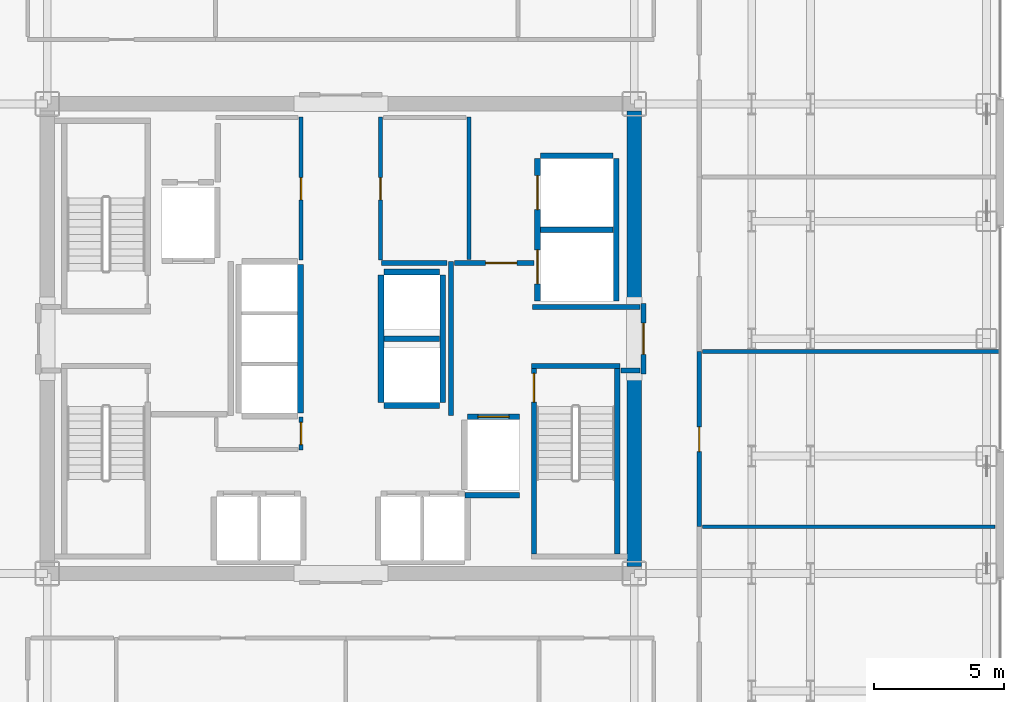
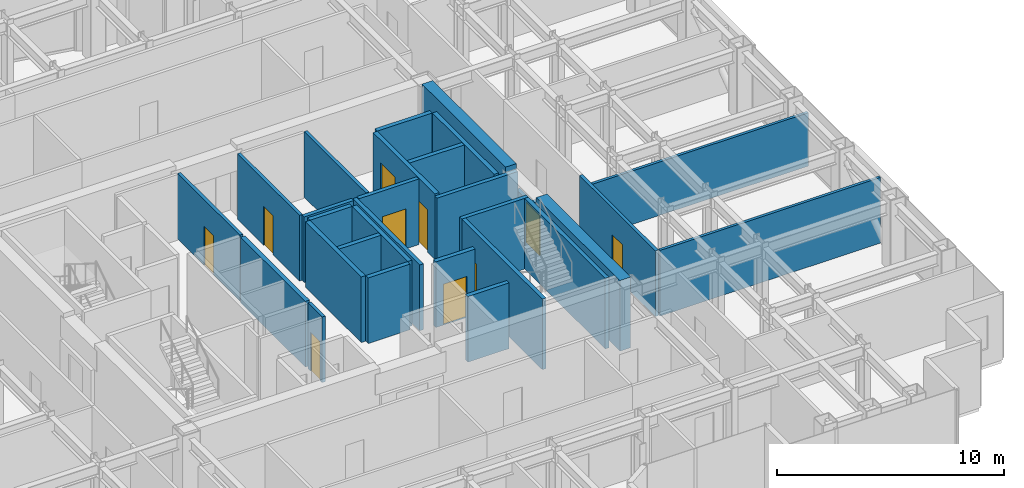
# One storey, part 23 of 26: 30 walls, 10 doors, 10 openings.
"""IFC4 building model written with IfcOpenShell, lengths in metres."""

from ifc_helpers import new_model, si_unit, direction, frame, frame_2d, origin, place, context, subcontext, project, spatial, rectangle, extrude, source, transform, mapped, material, layer, layer_set, type_object, element, fill, save


model = new_model("IFC4")

# Units and contexts
model_context = context("Model", 3, precision=1e-05, world=origin(), true_north=direction((0.0, 1.0)))
body_context = subcontext(model_context, "Body", "Model", "MODEL_VIEW")
ifc_project = project(units=[si_unit("LENGTHUNIT", "METRE"), si_unit("AREAUNIT", "SQUARE_METRE"), si_unit("VOLUMEUNIT", "CUBIC_METRE"), si_unit("PLANEANGLEUNIT", "RADIAN"), si_unit("MASSUNIT", "GRAM", prefix="KILO")], contexts=[model_context])

# Site, building, storey
site_placement = place(None, origin())
site = spatial("IfcSite", under=ifc_project, at=site_placement, CompositionType="ELEMENT")
building_placement = place(site_placement, origin())
building = spatial("IfcBuilding", under=site, at=building_placement, Name="Nefas-Gora Pilgrimage Tower", CompositionType="ELEMENT")
storey_placement = place(building_placement, frame((0.0, 0.0, 160.199951171875)))
storey = spatial("IfcBuildingStorey", under=building, at=storey_placement, Name="L39", CompositionType="ELEMENT", Elevation=160.199951171875)

# Walls
ifc_material_1 = material(Name="Concrete C60/75", Category="concrete")
ifc_layer_1 = layer(ifc_material_1, 0.550048828125)
ifc_layer_set_1 = layer_set([ifc_layer_1], Name="Concrete C60/75")
wall_type_1 = type_object("IfcWallType", Name="SW-CORE-550", PredefinedType="SHEAR", material=ifc_layer_set_1)
shared_shape_1 = source(origin(), body_context, "Body", "SweptSolid", [
    extrude(rectangle(XDim=7.375, YDim=0.550048828125, at=frame_2d((3.6875, 0.0))), origin(), (0.0, 0.0, 1.0), 3.800048828125),
])
for number, where, z_axis, x_axis, name in (
    (1, (11.25, -8.72509765625, 0.0), (0.0, 0.0, 1.0), (0.0, 1.0, 0.0), "L39 Core Shear Wall E-South"),
    (2, (11.25, 1.35009765625, 0.0), (0.0, 0.0, 1.0), (0.0, 1.0, 0.0), "L39 Core Shear Wall E-North"),
):
    element("IfcWall", number, at=place(storey_placement, frame(where, z_axis=z_axis, x_axis=x_axis)), inside=storey, type_object=wall_type_1, Name=name, PredefinedType="SHEAR", context=body_context, shape_type="MappedRepresentation", body=[
        mapped(shared_shape_1, transform((0.0, 0.0, 0.0), x_axis=(1.0, 0.0, 0.0), y_axis=(0.0, 1.0, 0.0), z_axis=(0.0, 0.0, 1.0), scale=1.0)),
    ])
ifc_material_2 = material(Name="Concrete C45/55", Category="concrete")
ifc_layer_2 = layer(ifc_material_2, 0.199951171875)
ifc_layer_set_2 = layer_set([ifc_layer_2], Name="Concrete C45/55")
wall_type_2 = type_object("IfcWallType", Name="IW-STAIR-200", PredefinedType="SOLIDWALL", material=ifc_layer_set_2)
shared_shape_2 = source(origin(), body_context, "Body", "SweptSolid", [
    extrude(rectangle(XDim=3.39990234375, YDim=0.199951171875, at=frame_2d((1.699951171875, 0.0))), origin(), (0.0, 0.0, 1.0), 3.800048828125),
])
wall_1_placement = place(storey_placement, frame((7.300048828125, -1.050048828125, 0.0), z_axis=(0.0, 0.0, 1.0), x_axis=(1.0, 0.0, 0.0)))
element("IfcWall", 3, at=wall_1_placement, inside=storey, type_object=wall_type_2, Name="L39 Stairwell Shear Wall ST-02-near", PredefinedType="SOLIDWALL", context=body_context, shape_type="MappedRepresentation", body=[
    mapped(shared_shape_2, transform((0.0, 0.0, 0.0), x_axis=(1.0, 0.0, 0.0), y_axis=(0.0, 1.0, 0.0), z_axis=(0.0, 0.0, 1.0), scale=1.0)),
])

# Wall, opening, door
shared_shape_3 = source(origin(), body_context, "Body", "SweptSolid", [
    extrude(rectangle(XDim=7.10009765625, YDim=0.199951171875, at=frame_2d((3.550048828125, 0.0))), origin(), (0.0, 0.0, 1.0), 3.800048828125),
])
wall_2_placement = place(storey_placement, frame((7.39990234375, -1.14990234375, 0.0), z_axis=(0.0, 0.0, 1.0), x_axis=(0.0, -1.0, 0.0)))
wall_2 = element("IfcWall", 4, at=wall_2_placement, inside=storey, type_object=wall_type_2, Name="L39 Stairwell Shear Wall ST-02-left", PredefinedType="SOLIDWALL", context=body_context, shape_type="MappedRepresentation", body=[
    mapped(shared_shape_3, transform((0.0, 0.0, 0.0), x_axis=(1.0, 0.0, 0.0), y_axis=(0.0, 1.0, 0.0), z_axis=(0.0, 0.0, 1.0), scale=1.0)),
])
opening_1_placement = place(wall_2_placement, frame((0.179931640625, 0.0, 0.0)))
opening_1 = element("IfcOpeningElement", 5, at=opening_1_placement, cuts=wall_2, Name="Opening ID-ST1", PredefinedType="OPENING", context=body_context, shape_type="SweptSolid", body=[
    extrude(rectangle(XDim=1.10009765625, YDim=2.14990234375, at=frame_2d((0.550048828125, 1.074951171875))), frame((0.0, 0.10986328125, 0.0), z_axis=(0.0, -1.0, 0.0), x_axis=(1.0, 0.0, 0.0)), (0.0, 0.0, 1.0), 0.219970703125),
])
ifc_material_3 = material(Name="Painted galvanised steel fire stair door", Category="steel")
door_type_1 = type_object("IfcDoorType", Name="DR-INT-STAIR-1100", OperationType="NOTDEFINED", PredefinedType="DOOR", material=ifc_material_3)
shared_shape_4 = source(origin(), body_context, "Body", "SweptSolid", [
    extrude(rectangle(XDim=1.10009765625, YDim=2.14990234375, at=frame_2d((0.550048828125, 1.074951171875))), frame((0.0, 0.02490234375, 0.0), z_axis=(0.0, -1.0, 0.0), x_axis=(1.0, 0.0, 0.0)), (0.0, 0.0, 1.0), 0.050048828125),
])
door_1_placement = place(opening_1_placement, origin())
door_1 = element("IfcDoor", 6, at=door_1_placement, inside=storey, type_object=door_type_1, Name="L39 Protected Exit Stair Door ST-02", OperationType="SINGLE_SWING_RIGHT", OverallHeight=2.14990234375, OverallWidth=1.10009765625, PredefinedType="DOOR", context=body_context, shape_type="MappedRepresentation", body=[
    mapped(shared_shape_4, transform((0.0, 0.0, 0.0), x_axis=(1.0, 0.0, 0.0), y_axis=(0.0, 1.0, 0.0), z_axis=(0.0, 0.0, 1.0), scale=1.0)),
])
fill(opening_1, door_1)

# Wall
wall_3_placement = place(storey_placement, frame((10.60009765625, -1.14990234375, 0.0), z_axis=(0.0, 0.0, 1.0), x_axis=(0.0, -1.0, 0.0)))
element("IfcWall", 7, at=wall_3_placement, inside=storey, type_object=wall_type_2, Name="L39 Stairwell Shear Wall ST-02-right", PredefinedType="SOLIDWALL", context=body_context, shape_type="MappedRepresentation", body=[
    mapped(shared_shape_3, transform((0.0, 0.0, 0.0), x_axis=(1.0, 0.0, 0.0), y_axis=(0.0, 1.0, 0.0), z_axis=(0.0, 0.0, 1.0), scale=1.0)),
])

# Wall, opening, door
ifc_material_4 = material(Name="Concrete C40/50", Category="concrete")
ifc_layer_3 = layer(ifc_material_4, 0.219970703125)
ifc_layer_set_3 = layer_set([ifc_layer_3], Name="Concrete C40/50")
wall_type_3 = type_object("IfcWallType", Name="IW-SHAFT-220", PredefinedType="SOLIDWALL", material=ifc_layer_set_3)
shared_shape_5 = source(origin(), body_context, "Body", "SweptSolid", [
    extrude(rectangle(XDim=2.0, YDim=0.219970703125, at=frame_2d((1.0, 0.0))), origin(), (0.0, 0.0, 1.0), 3.53515625),
])
wall_4_placement = place(storey_placement, frame((6.85009765625, -2.989990234375, 0.0), z_axis=(0.0, 0.0, 1.0), x_axis=(-1.0, 0.0, 0.0)))
wall_4 = element("IfcWall", 8, at=wall_4_placement, inside=storey, type_object=wall_type_3, Name="L39 Hoistway Wall FFL-02-N", PredefinedType="SOLIDWALL", context=body_context, shape_type="MappedRepresentation", body=[
    mapped(shared_shape_5, transform((0.0, 0.0, 0.0), x_axis=(1.0, 0.0, 0.0), y_axis=(0.0, 1.0, 0.0), z_axis=(0.0, 0.0, 1.0), scale=1.0)),
])
opening_2_placement = place(wall_4_placement, frame((0.39990234375, 0.0, 0.0)))
opening_2 = element("IfcOpeningElement", 9, at=opening_2_placement, cuts=wall_4, Name="Opening LD-FF", PredefinedType="OPENING", context=body_context, shape_type="SweptSolid", body=[
    extrude(rectangle(XDim=1.199951171875, YDim=2.199951171875, at=frame_2d((0.60009765625, 1.10009765625))), frame((0.0, 0.119873046875, 0.0), z_axis=(0.0, -1.0, 0.0), x_axis=(1.0, 0.0, 0.0)), (0.0, 0.0, 1.0), 0.239990234375),
])
ifc_material_5 = material(Name="Fire-service sliding lift landing door")
door_type_2 = type_object("IfcDoorType", Name="DR-LIFT-FSAE-1200", OperationType="SLIDING_TO_LEFT", PredefinedType="DOOR", material=ifc_material_5)
shared_shape_6 = source(origin(), body_context, "Body", "SweptSolid", [
    extrude(rectangle(XDim=1.199951171875, YDim=2.199951171875, at=frame_2d((0.60009765625, 1.10009765625))), frame((0.0, 0.02490234375, 0.0), z_axis=(0.0, -1.0, 0.0), x_axis=(1.0, 0.0, 0.0)), (0.0, 0.0, 1.0), 0.050048828125),
])
door_2_placement = place(opening_2_placement, origin())
door_2 = element("IfcDoor", 10, at=door_2_placement, inside=storey, type_object=door_type_2, Name="L39 Sliding Lift Landing Door FFL-02", OperationType="SLIDING_TO_LEFT", OverallHeight=2.199951171875, OverallWidth=1.199951171875, PredefinedType="DOOR", context=body_context, shape_type="MappedRepresentation", body=[
    mapped(shared_shape_6, transform((0.0, 0.0, 0.0), x_axis=(1.0, 0.0, 0.0), y_axis=(0.0, 1.0, 0.0), z_axis=(0.0, 0.0, 1.0), scale=1.0)),
])
fill(opening_2, door_2)

# Wall, openings, doors
shared_shape_7 = source(origin(), body_context, "Body", "SweptSolid", [
    extrude(rectangle(XDim=5.449951171875, YDim=0.219970703125, at=frame_2d((2.72509765625, 0.0))), origin(), (0.0, 0.0, 1.0), 3.53515625),
])
wall_5_placement = place(storey_placement, frame((7.5400390625, 6.89990234375, 0.0), z_axis=(0.0, 0.0, 1.0), x_axis=(0.0, -1.0, 0.0)))
wall_5 = element("IfcWall", 11, at=wall_5_placement, inside=storey, type_object=wall_type_3, Name="L39 Hoistway Wall SL-01-02-W", PredefinedType="SOLIDWALL", context=body_context, shape_type="MappedRepresentation", body=[
    mapped(shared_shape_7, transform((0.0, 0.0, 0.0), x_axis=(1.0, 0.0, 0.0), y_axis=(0.0, 1.0, 0.0), z_axis=(0.0, 0.0, 1.0), scale=1.0)),
])
opening_3_placement = place(wall_5_placement, frame((3.5, 0.0, 0.0)))
opening_3 = element("IfcOpeningElement", 12, at=opening_3_placement, cuts=wall_5, Name="Opening LD-SV", PredefinedType="OPENING", context=body_context, shape_type="SweptSolid", body=[
    extrude(rectangle(XDim=1.300048828125, YDim=2.300048828125, at=frame_2d((0.64990234375, 1.14990234375))), frame((0.0, 0.119873046875, 0.0), z_axis=(0.0, -1.0, 0.0), x_axis=(1.0, 0.0, 0.0)), (0.0, 0.0, 1.0), 0.239990234375),
])
opening_4_placement = place(wall_5_placement, frame((0.64990234375, 0.0, 0.0)))
opening_4 = element("IfcOpeningElement", 13, at=opening_4_placement, cuts=wall_5, Name="Opening LD-SV", PredefinedType="OPENING", context=body_context, shape_type="SweptSolid", body=[
    extrude(rectangle(XDim=1.300048828125, YDim=2.300048828125, at=frame_2d((0.64990234375, 1.14990234375))), frame((0.0, 0.119873046875, 0.0), z_axis=(0.0, -1.0, 0.0), x_axis=(1.0, 0.0, 0.0)), (0.0, 0.0, 1.0), 0.239990234375),
])
ifc_material_6 = material(Name="Heavy goods sliding lift landing door")
door_type_3 = type_object("IfcDoorType", Name="DR-LIFT-SERV-1300", OperationType="SLIDING_TO_RIGHT", PredefinedType="DOOR", material=ifc_material_6)
shared_shape_8 = source(origin(), body_context, "Body", "SweptSolid", [
    extrude(rectangle(XDim=1.300048828125, YDim=2.300048828125, at=frame_2d((0.64990234375, 1.14990234375))), frame((0.0, 0.02490234375, 0.0), z_axis=(0.0, -1.0, 0.0), x_axis=(1.0, 0.0, 0.0)), (0.0, 0.0, 1.0), 0.050048828125),
])
door_3_placement = place(opening_3_placement, origin())
door_3 = element("IfcDoor", 14, at=door_3_placement, inside=storey, type_object=door_type_3, Name="L39 Sliding Lift Landing Door SL-01", OperationType="SLIDING_TO_RIGHT", OverallHeight=2.300048828125, OverallWidth=1.300048828125, PredefinedType="DOOR", context=body_context, shape_type="MappedRepresentation", body=[
    mapped(shared_shape_8, transform((0.0, 0.0, 0.0), x_axis=(1.0, 0.0, 0.0), y_axis=(0.0, 1.0, 0.0), z_axis=(0.0, 0.0, 1.0), scale=1.0)),
])
fill(opening_3, door_3)
door_4_placement = place(opening_4_placement, origin())
door_4 = element("IfcDoor", 15, at=door_4_placement, inside=storey, type_object=door_type_3, Name="L39 Sliding Lift Landing Door SL-02", OperationType="SLIDING_TO_RIGHT", OverallHeight=2.300048828125, OverallWidth=1.300048828125, PredefinedType="DOOR", context=body_context, shape_type="MappedRepresentation", body=[
    mapped(shared_shape_8, transform((0.0, 0.0, 0.0), x_axis=(1.0, 0.0, 0.0), y_axis=(0.0, 1.0, 0.0), z_axis=(0.0, 0.0, 1.0), scale=1.0)),
])
fill(opening_4, door_4)

# Walls
wall_6_placement = place(storey_placement, frame((10.56005859375, 1.449951171875, 0.0), z_axis=(0.0, 0.0, 1.0), x_axis=(0.0, 1.0, 0.0)))
element("IfcWall", 16, at=wall_6_placement, inside=storey, type_object=wall_type_3, Name="L39 Hoistway Wall SL-01-02-E", PredefinedType="SOLIDWALL", context=body_context, shape_type="MappedRepresentation", body=[
    mapped(shared_shape_7, transform((0.0, 0.0, 0.0), x_axis=(1.0, 0.0, 0.0), y_axis=(0.0, 1.0, 0.0), z_axis=(0.0, 0.0, 1.0), scale=1.0)),
])
shared_shape_9 = source(origin(), body_context, "Body", "SweptSolid", [
    extrude(rectangle(XDim=2.780029296875, YDim=0.219970703125, at=frame_2d((1.39013671875, 0.0))), origin(), (0.0, 0.0, 1.0), 3.53515625),
])
for number, where, z_axis, x_axis, name in (
    (17, (7.659912109375, 4.175048828125, 0.0), (0.0, 0.0, 1.0), (1.0, 0.0, 0.0), "L39 Hoistway Wall SL-01-02-DIV"),
    (18, (10.43994140625, 7.010009765625, 0.0), (0.0, 0.0, 1.0), (-1.0, 0.0, 0.0), "L39 Hoistway Wall SL-02-N"),
):
    element("IfcWall", number, at=place(storey_placement, frame(where, z_axis=z_axis, x_axis=x_axis)), inside=storey, type_object=wall_type_3, Name=name, PredefinedType="SOLIDWALL", context=body_context, shape_type="MappedRepresentation", body=[
        mapped(shared_shape_9, transform((0.0, 0.0, 0.0), x_axis=(1.0, 0.0, 0.0), y_axis=(0.0, 1.0, 0.0), z_axis=(0.0, 0.0, 1.0), scale=1.0)),
    ])
shared_shape_10 = source(origin(), body_context, "Body", "SweptSolid", [
    extrude(rectangle(XDim=5.7001953125, YDim=0.219970703125, at=frame_2d((2.85009765625, 0.0))), origin(), (0.0, 0.0, 1.0), 3.53515625),
])
wall_7_placement = place(storey_placement, frame((-1.5400390625, -2.85009765625, 0.0), z_axis=(0.0, 0.0, 1.0), x_axis=(0.0, 1.0, 0.0)))
element("IfcWall", 19, at=wall_7_placement, inside=storey, type_object=wall_type_3, Name="L39 Hoistway Wall PL3-01-03-E", PredefinedType="SOLIDWALL", context=body_context, shape_type="MappedRepresentation", body=[
    mapped(shared_shape_10, transform((0.0, 0.0, 0.0), x_axis=(1.0, 0.0, 0.0), y_axis=(0.0, 1.0, 0.0), z_axis=(0.0, 0.0, 1.0), scale=1.0)),
])
shared_shape_11 = source(origin(), body_context, "Body", "SweptSolid", [
    extrude(rectangle(XDim=2.130126953125, YDim=0.219970703125, at=frame_2d((1.06494140625, 0.0))), origin(), (0.0, 0.0, 1.0), 3.53515625),
])
for number, where, z_axis, x_axis, name in (
    (20, (1.659912109375, -2.56005859375, 0.0), (0.0, 0.0, 1.0), (1.0, 0.0, 0.0), "L39 Hoistway Wall OBS-01-S"),
    (21, (1.659912109375, 0.0, 0.0), (0.0, 0.0, 1.0), (1.0, 0.0, 0.0), "L39 Hoistway Wall OBS-01-02-DIV"),
    (22, (3.7900390625, 2.56005859375, 0.0), (0.0, 0.0, 1.0), (-1.0, 0.0, 0.0), "L39 Hoistway Wall OBS-02-N"),
):
    element("IfcWall", number, at=place(storey_placement, frame(where, z_axis=z_axis, x_axis=x_axis)), inside=storey, type_object=wall_type_3, Name=name, PredefinedType="SOLIDWALL", context=body_context, shape_type="MappedRepresentation", body=[
        mapped(shared_shape_11, transform((0.0, 0.0, 0.0), x_axis=(1.0, 0.0, 0.0), y_axis=(0.0, 1.0, 0.0), z_axis=(0.0, 0.0, 1.0), scale=1.0)),
    ])
shared_shape_12 = source(origin(), body_context, "Body", "SweptSolid", [
    extrude(rectangle(XDim=4.89990234375, YDim=0.219970703125, at=frame_2d((2.449951171875, 0.0))), origin(), (0.0, 0.0, 1.0), 3.53515625),
])
for number, where, z_axis, x_axis, name in (
    (23, (1.5400390625, 2.449951171875, 0.0), (0.0, 0.0, 1.0), (0.0, -1.0, 0.0), "L39 Hoistway Wall OBS-01-02-W"),
    (24, (3.909912109375, -2.449951171875, 0.0), (0.0, 0.0, 1.0), (0.0, 1.0, 0.0), "L39 Hoistway Wall OBS-01-02-E"),
):
    element("IfcWall", number, at=place(storey_placement, frame(where, z_axis=z_axis, x_axis=x_axis)), inside=storey, type_object=wall_type_3, Name=name, PredefinedType="SOLIDWALL", context=body_context, shape_type="MappedRepresentation", body=[
        mapped(shared_shape_12, transform((0.0, 0.0, 0.0), x_axis=(1.0, 0.0, 0.0), y_axis=(0.0, 1.0, 0.0), z_axis=(0.0, 0.0, 1.0), scale=1.0)),
    ])

# Wall, opening, door
ifc_material_7 = material(Name="Gypsum fire-rated shaftwall")
ifc_layer_4 = layer(ifc_material_7, 0.199951171875)
ifc_layer_set_4 = layer_set([ifc_layer_4], Name="Gypsum fire-rated shaftwall")
wall_type_4 = type_object("IfcWallType", Name="IW-FFLOB-200", PredefinedType="PARTITIONING", material=ifc_layer_set_4)
shared_shape_13 = source(origin(), body_context, "Body", "SweptSolid", [
    extrude(rectangle(XDim=2.7001953125, YDim=0.199951171875, at=frame_2d((1.35009765625, 0.0))), origin(), (0.0, 0.0, 1.0), 2.425048828125),
])
wall_8_placement = place(storey_placement, frame((11.60009765625, -1.35009765625, 0.0), z_axis=(0.0, 0.0, 1.0), x_axis=(0.0, 1.0, 0.0)))
wall_8 = element("IfcWall", 25, at=wall_8_placement, inside=storey, type_object=wall_type_4, Name="L39 FF Lobby East Portal Wall 9", PredefinedType="PARTITIONING", context=body_context, shape_type="MappedRepresentation", body=[
    mapped(shared_shape_13, transform((0.0, 0.0, 0.0), x_axis=(1.0, 0.0, 0.0), y_axis=(0.0, 1.0, 0.0), z_axis=(0.0, 0.0, 1.0), scale=1.0)),
])
opening_5_placement = place(wall_8_placement, frame((0.75, 0.0, 0.0)))
opening_5 = element("IfcOpeningElement", 26, at=opening_5_placement, cuts=wall_8, Name="Opening ID-FF1", PredefinedType="OPENING", context=body_context, shape_type="SweptSolid", body=[
    extrude(rectangle(XDim=1.199951171875, YDim=2.14990234375, at=frame_2d((0.60009765625, 1.074951171875))), frame((0.0, 0.10986328125, 0.0), z_axis=(0.0, -1.0, 0.0), x_axis=(1.0, 0.0, 0.0)), (0.0, 0.0, 1.0), 0.219970703125),
])
ifc_material_8 = material(Name="Smoke-sealed steel firefighting lobby door", Category="steel")
door_type_4 = type_object("IfcDoorType", Name="DR-INT-FFLOB-1200", OperationType="NOTDEFINED", PredefinedType="DOOR", material=ifc_material_8)
shared_shape_14 = source(origin(), body_context, "Body", "SweptSolid", [
    extrude(rectangle(XDim=1.199951171875, YDim=2.14990234375, at=frame_2d((0.60009765625, 1.074951171875))), frame((0.0, 0.02490234375, 0.0), z_axis=(0.0, -1.0, 0.0), x_axis=(1.0, 0.0, 0.0)), (0.0, 0.0, 1.0), 0.050048828125),
])
door_5_placement = place(opening_5_placement, origin())
door_5 = element("IfcDoor", 27, at=door_5_placement, inside=storey, type_object=door_type_4, Name="L39 FF Lobby East Portal Door 3", OperationType="SINGLE_SWING_RIGHT", OverallHeight=2.14990234375, OverallWidth=1.199951171875, PredefinedType="DOOR", context=body_context, shape_type="MappedRepresentation", body=[
    mapped(shared_shape_14, transform((0.0, 0.0, 0.0), x_axis=(1.0, 0.0, 0.0), y_axis=(0.0, 1.0, 0.0), z_axis=(0.0, 0.0, 1.0), scale=1.0)),
])
fill(opening_5, door_5)

# Walls
shared_shape_15 = source(origin(), body_context, "Body", "SweptSolid", [
    extrude(rectangle(XDim=2.09521484375, YDim=0.219970703125, at=frame_2d((1.047607421875, 0.0))), origin(), (0.0, 0.0, 1.0), 3.53515625),
])
wall_9_placement = place(storey_placement, frame((4.7548828125, -6.0, 0.0), z_axis=(0.0, 0.0, 1.0), x_axis=(1.0, 0.0, 0.0)))
element("IfcWall", 28, at=wall_9_placement, inside=storey, type_object=wall_type_3, Name="L39 Riser Shaft Wall 3", PredefinedType="SOLIDWALL", context=body_context, shape_type="MappedRepresentation", body=[
    mapped(shared_shape_15, transform((0.0, 0.0, 0.0), x_axis=(1.0, 0.0, 0.0), y_axis=(0.0, 1.0, 0.0), z_axis=(0.0, 0.0, 1.0), scale=1.0)),
])
shared_shape_16 = source(origin(), body_context, "Body", "SweptSolid", [
    extrude(rectangle(XDim=5.89990234375, YDim=0.199951171875, at=frame_2d((2.949951171875, 0.0))), origin(), (0.0, 0.0, 1.0), 3.53515625),
])
wall_10_placement = place(storey_placement, frame((4.219970703125, -2.949951171875, 0.0), z_axis=(0.0, 0.0, 1.0), x_axis=(0.0, 1.0, 0.0)))
element("IfcWall", 29, at=wall_10_placement, inside=storey, type_object=wall_type_4, Name="L39 FF Lobby East Inner Wall Wall 10", PredefinedType="PARTITIONING", context=body_context, shape_type="MappedRepresentation", body=[
    mapped(shared_shape_16, transform((0.0, 0.0, 0.0), x_axis=(1.0, 0.0, 0.0), y_axis=(0.0, 1.0, 0.0), z_axis=(0.0, 0.0, 1.0), scale=1.0)),
])
shared_shape_17 = source(origin(), body_context, "Body", "SweptSolid", [
    extrude(rectangle(XDim=0.719970703125, YDim=0.199951171875, at=frame_2d((0.35986328125, 0.0))), origin(), (0.0, 0.0, 1.0), 3.53515625),
])
wall_11_placement = place(storey_placement, frame((10.739990234375, -1.219970703125, 0.0), z_axis=(0.0, 0.0, 1.0), x_axis=(1.0, 0.0, 0.0)))
element("IfcWall", 30, at=wall_11_placement, inside=storey, type_object=wall_type_4, Name="L39 FF Lobby East Throat S Wall 14", PredefinedType="PARTITIONING", context=body_context, shape_type="MappedRepresentation", body=[
    mapped(shared_shape_17, transform((0.0, 0.0, 0.0), x_axis=(1.0, 0.0, 0.0), y_axis=(0.0, 1.0, 0.0), z_axis=(0.0, 0.0, 1.0), scale=1.0)),
])

# Wall, opening, door
shared_shape_18 = source(origin(), body_context, "Body", "SweptSolid", [
    extrude(rectangle(XDim=3.039794921875, YDim=0.199951171875, at=frame_2d((1.52001953125, 0.0))), origin(), (0.0, 0.0, 1.0), 3.53515625),
])
wall_12_placement = place(storey_placement, frame((4.360107421875, 2.89990234375, 0.0), z_axis=(0.0, 0.0, 1.0), x_axis=(1.0, 0.0, 0.0)))
wall_12 = element("IfcWall", 31, at=wall_12_placement, inside=storey, type_object=wall_type_4, Name="L39 FF Lobby East North Wall Wall 12", PredefinedType="PARTITIONING", context=body_context, shape_type="MappedRepresentation", body=[
    mapped(shared_shape_18, transform((0.0, 0.0, 0.0), x_axis=(1.0, 0.0, 0.0), y_axis=(0.0, 1.0, 0.0), z_axis=(0.0, 0.0, 1.0), scale=1.0)),
])
opening_6_placement = place(wall_12_placement, frame((1.18994140625, 0.0, 0.0)))
opening_6 = element("IfcOpeningElement", 32, at=opening_6_placement, cuts=wall_12, Name="Opening ID-PL1", PredefinedType="OPENING", context=body_context, shape_type="SweptSolid", body=[
    extrude(rectangle(XDim=1.199951171875, YDim=2.14990234375, at=frame_2d((0.60009765625, 1.074951171875))), frame((0.0, 0.10986328125, 0.0), z_axis=(0.0, -1.0, 0.0), x_axis=(1.0, 0.0, 0.0)), (0.0, 0.0, 1.0), 0.219970703125),
])
ifc_material_9 = material(Name="Heavy-duty steel plant room fire door", Category="steel")
door_type_5 = type_object("IfcDoorType", Name="DR-INT-PLANT-1200", OperationType="NOTDEFINED", PredefinedType="DOOR", material=ifc_material_9)
door_6_placement = place(opening_6_placement, origin())
door_6 = element("IfcDoor", 33, at=door_6_placement, inside=storey, type_object=door_type_5, Name="L39 Service Lift Lobby Door Door 4", OperationType="SINGLE_SWING_LEFT", OverallHeight=2.14990234375, OverallWidth=1.199951171875, PredefinedType="DOOR", context=body_context, shape_type="MappedRepresentation", body=[
    mapped(shared_shape_14, transform((0.0, 0.0, 0.0), x_axis=(1.0, 0.0, 0.0), y_axis=(0.0, 1.0, 0.0), z_axis=(0.0, 0.0, 1.0), scale=1.0)),
])
fill(opening_6, door_6)

# Wall
shared_shape_19 = source(origin(), body_context, "Body", "SweptSolid", [
    extrude(rectangle(XDim=4.10986328125, YDim=0.199951171875, at=frame_2d((2.054931640625, 0.0))), origin(), (0.0, 0.0, 1.0), 3.53515625),
])
wall_13_placement = place(storey_placement, frame((7.35009765625, 1.219970703125, 0.0), z_axis=(0.0, 0.0, 1.0), x_axis=(1.0, 0.0, 0.0)))
element("IfcWall", 34, at=wall_13_placement, inside=storey, type_object=wall_type_4, Name="L39 FF Lobby East Throat N Wall 13", PredefinedType="PARTITIONING", context=body_context, shape_type="MappedRepresentation", body=[
    mapped(shared_shape_19, transform((0.0, 0.0, 0.0), x_axis=(1.0, 0.0, 0.0), y_axis=(0.0, 1.0, 0.0), z_axis=(0.0, 0.0, 1.0), scale=1.0)),
])

# Wall, opening, door
ifc_material_10 = material(Name="Gypsum acoustic stud partition")
ifc_layer_5 = layer(ifc_material_10, 0.159912109375)
ifc_layer_set_5 = layer_set([ifc_layer_5], Name="Gypsum acoustic stud partition")
wall_type_5 = type_object("IfcWallType", Name="IW-CORR-160", PredefinedType="PARTITIONING", material=ifc_layer_set_5)
shared_shape_20 = source(origin(), body_context, "Body", "SweptSolid", [
    extrude(rectangle(XDim=1.25, YDim=0.159912109375, at=frame_2d((0.625, 0.0))), origin(), (0.0, 0.0, 1.0), 3.53515625),
])
wall_14_placement = place(storey_placement, frame((-1.52001953125, -4.260009765625, 0.0), z_axis=(0.0, 0.0, 1.0), x_axis=(0.0, 1.0, 0.0)))
wall_14 = element("IfcWall", 35, at=wall_14_placement, inside=storey, type_object=wall_type_5, Name="L39 Pilgrim Baggage and Gear Vault Wall 20", PredefinedType="PARTITIONING", context=body_context, shape_type="MappedRepresentation", body=[
    mapped(shared_shape_20, transform((0.0, 0.0, 0.0), x_axis=(1.0, 0.0, 0.0), y_axis=(0.0, 1.0, 0.0), z_axis=(0.0, 0.0, 1.0), scale=1.0)),
])
opening_7_placement = place(wall_14_placement, frame((0.199951171875, 0.0, 0.0)))
opening_7 = element("IfcOpeningElement", 36, at=opening_7_placement, cuts=wall_14, Name="Opening ID-BT1", PredefinedType="OPENING", context=body_context, shape_type="SweptSolid", body=[
    extrude(rectangle(XDim=0.85009765625, YDim=2.10009765625, at=frame_2d((0.425048828125, 1.050048828125))), frame((0.0, 0.08984375, 0.0), z_axis=(0.0, -1.0, 0.0), x_axis=(1.0, 0.0, 0.0)), (0.0, 0.0, 1.0), 0.179931640625),
])
ifc_material_11 = material(Name="Moisture-resistant fire-rated timber door", Category="wood")
door_type_6 = type_object("IfcDoorType", Name="DR-INT-BATH-850", OperationType="NOTDEFINED", PredefinedType="DOOR", material=ifc_material_11)
shared_shape_21 = source(origin(), body_context, "Body", "SweptSolid", [
    extrude(rectangle(XDim=0.85009765625, YDim=2.10009765625, at=frame_2d((0.425048828125, 1.050048828125))), frame((0.0, 0.02490234375, 0.0), z_axis=(0.0, -1.0, 0.0), x_axis=(1.0, 0.0, 0.0)), (0.0, 0.0, 1.0), 0.050048828125),
])
door_7_placement = place(opening_7_placement, origin())
door_7 = element("IfcDoor", 37, at=door_7_placement, inside=storey, type_object=door_type_6, Name="L39 Pilgrim Baggage and Gear Vault Door 8", OperationType="SINGLE_SWING_LEFT", OverallHeight=2.10009765625, OverallWidth=0.85009765625, PredefinedType="DOOR", context=body_context, shape_type="MappedRepresentation", body=[
    mapped(shared_shape_21, transform((0.0, 0.0, 0.0), x_axis=(1.0, 0.0, 0.0), y_axis=(0.0, 1.0, 0.0), z_axis=(0.0, 0.0, 1.0), scale=1.0)),
])
fill(opening_7, door_7)

# Walls
ifc_material_12 = material(Name="Gypsum twin-stud partition")
ifc_layer_6 = layer(ifc_material_12, 0.139892578125)
ifc_layer_set_6 = layer_set([ifc_layer_6], Name="Gypsum twin-stud partition")
wall_type_6 = type_object("IfcWallType", Name="IW-UNIT-140", PredefinedType="PARTITIONING", material=ifc_layer_set_6)
shared_shape_22 = source(origin(), body_context, "Body", "SweptSolid", [
    extrude(rectangle(XDim=11.429931640625, YDim=0.139892578125, at=frame_2d((5.71484375, 0.0))), origin(), (0.0, 0.0, 1.0), 2.875),
])
wall_15_placement = place(storey_placement, frame((13.860107421875, -0.489990234375, 0.0), z_axis=(0.0, 0.0, 1.0), x_axis=(1.0, 0.0, 0.0)))
element("IfcWall", 38, at=wall_15_placement, inside=storey, type_object=wall_type_6, Name="L39 Pilgrim Contemplative Lounge Partition Wall 43", PredefinedType="PARTITIONING", context=body_context, shape_type="MappedRepresentation", body=[
    mapped(shared_shape_22, transform((0.0, 0.0, 0.0), x_axis=(1.0, 0.0, 0.0), y_axis=(0.0, 1.0, 0.0), z_axis=(0.0, 0.0, 1.0), scale=1.0)),
])
shared_shape_23 = source(origin(), body_context, "Body", "SweptSolid", [
    extrude(rectangle(XDim=2.52001953125, YDim=0.199951171875, at=frame_2d((1.260009765625, 0.0))), origin(), (0.0, 0.0, 1.0), 3.53515625),
])
wall_16_placement = place(storey_placement, frame((1.56005859375, 2.89990234375, 0.0), z_axis=(0.0, 0.0, 1.0), x_axis=(1.0, 0.0, 0.0)))
element("IfcWall", 39, at=wall_16_placement, inside=storey, type_object=wall_type_4, Name="L39 FF Lobby East North Wall Wall 11", PredefinedType="PARTITIONING", context=body_context, shape_type="MappedRepresentation", body=[
    mapped(shared_shape_23, transform((0.0, 0.0, 0.0), x_axis=(1.0, 0.0, 0.0), y_axis=(0.0, 1.0, 0.0), z_axis=(0.0, 0.0, 1.0), scale=1.0)),
])
shared_shape_24 = source(origin(), body_context, "Body", "SweptSolid", [
    extrude(rectangle(XDim=5.449951171875, YDim=0.159912109375, at=frame_2d((2.72509765625, 0.0))), origin(), (0.0, 0.0, 1.0), 3.53515625),
])
wall_17_placement = place(storey_placement, frame((4.919921875, 3.0400390625, 0.0), z_axis=(0.0, 0.0, 1.0), x_axis=(0.0, 1.0, 0.0)))
element("IfcWall", 40, at=wall_17_placement, inside=storey, type_object=wall_type_5, Name="L39 Service Lift Lobby West Wall Wall 17", PredefinedType="PARTITIONING", context=body_context, shape_type="MappedRepresentation", body=[
    mapped(shared_shape_24, transform((0.0, 0.0, 0.0), x_axis=(1.0, 0.0, 0.0), y_axis=(0.0, 1.0, 0.0), z_axis=(0.0, 0.0, 1.0), scale=1.0)),
])

# Wall, opening, door
shared_shape_25 = source(origin(), body_context, "Body", "SweptSolid", [
    extrude(rectangle(XDim=5.47998046875, YDim=0.159912109375, at=frame_2d((2.739990234375, 0.0))), origin(), (0.0, 0.0, 1.0), 3.53515625),
])
wall_18_placement = place(storey_placement, frame((-1.52001953125, 3.010009765625, 0.0), z_axis=(0.0, 0.0, 1.0), x_axis=(0.0, 1.0, 0.0)))
wall_18 = element("IfcWall", 41, at=wall_18_placement, inside=storey, type_object=wall_type_5, Name="L39 Housekeeping and Linen Store Wall 18", PredefinedType="PARTITIONING", context=body_context, shape_type="MappedRepresentation", body=[
    mapped(shared_shape_25, transform((0.0, 0.0, 0.0), x_axis=(1.0, 0.0, 0.0), y_axis=(0.0, 1.0, 0.0), z_axis=(0.0, 0.0, 1.0), scale=1.0)),
])
opening_8_placement = place(wall_18_placement, frame((2.31494140625, 0.0, 0.0)))
opening_8 = element("IfcOpeningElement", 42, at=opening_8_placement, cuts=wall_18, Name="Opening ID-BT1", PredefinedType="OPENING", context=body_context, shape_type="SweptSolid", body=[
    extrude(rectangle(XDim=0.85009765625, YDim=2.10009765625, at=frame_2d((0.425048828125, 1.050048828125))), frame((0.0, 0.08984375, 0.0), z_axis=(0.0, -1.0, 0.0), x_axis=(1.0, 0.0, 0.0)), (0.0, 0.0, 1.0), 0.179931640625),
])
door_8_placement = place(opening_8_placement, origin())
door_8 = element("IfcDoor", 43, at=door_8_placement, inside=storey, type_object=door_type_6, Name="L39 Housekeeping and Linen Store Door 7", OperationType="SINGLE_SWING_RIGHT", OverallHeight=2.10009765625, OverallWidth=0.85009765625, PredefinedType="DOOR", context=body_context, shape_type="MappedRepresentation", body=[
    mapped(shared_shape_21, transform((0.0, 0.0, 0.0), x_axis=(1.0, 0.0, 0.0), y_axis=(0.0, 1.0, 0.0), z_axis=(0.0, 0.0, 1.0), scale=1.0)),
])
fill(opening_8, door_8)

wall_19_placement = place(storey_placement, frame((1.52001953125, 3.010009765625, 0.0), z_axis=(0.0, 0.0, 1.0), x_axis=(0.0, 1.0, 0.0)))
wall_19 = element("IfcWall", 44, at=wall_19_placement, inside=storey, type_object=wall_type_5, Name="L39 Freed Bank-1 Amenity Supply Store Wall 23", PredefinedType="PARTITIONING", context=body_context, shape_type="MappedRepresentation", body=[
    mapped(shared_shape_25, transform((0.0, 0.0, 0.0), x_axis=(1.0, 0.0, 0.0), y_axis=(0.0, 1.0, 0.0), z_axis=(0.0, 0.0, 1.0), scale=1.0)),
])
opening_9_placement = place(wall_19_placement, frame((2.31494140625, 0.0, 0.0)))
opening_9 = element("IfcOpeningElement", 45, at=opening_9_placement, cuts=wall_19, Name="Opening ID-BT1", PredefinedType="OPENING", context=body_context, shape_type="SweptSolid", body=[
    extrude(rectangle(XDim=0.85009765625, YDim=2.10009765625, at=frame_2d((0.425048828125, 1.050048828125))), frame((0.0, 0.08984375, 0.0), z_axis=(0.0, -1.0, 0.0), x_axis=(1.0, 0.0, 0.0)), (0.0, 0.0, 1.0), 0.179931640625),
])
door_9_placement = place(opening_9_placement, origin())
door_9 = element("IfcDoor", 46, at=door_9_placement, inside=storey, type_object=door_type_6, Name="L39 Freed Bank-1 Amenity Supply Store Door 9", OperationType="SINGLE_SWING_RIGHT", OverallHeight=2.10009765625, OverallWidth=0.85009765625, PredefinedType="DOOR", context=body_context, shape_type="MappedRepresentation", body=[
    mapped(shared_shape_21, transform((0.0, 0.0, 0.0), x_axis=(1.0, 0.0, 0.0), y_axis=(0.0, 1.0, 0.0), z_axis=(0.0, 0.0, 1.0), scale=1.0)),
])
fill(opening_9, door_9)

# Wall
shared_shape_26 = source(origin(), body_context, "Body", "SweptSolid", [
    extrude(rectangle(XDim=11.219970703125, YDim=0.139892578125, at=frame_2d((5.60986328125, 0.0))), origin(), (0.0, 0.0, 1.0), 3.53515625),
])
wall_20_placement = place(storey_placement, frame((13.860107421875, -7.205078125, 0.0), z_axis=(0.0, 0.0, 1.0), x_axis=(1.0, 0.0, 0.0)))
element("IfcWall", 47, at=wall_20_placement, inside=storey, type_object=wall_type_6, Name="L39 Pilgrim Contemplative Lounge Partition Wall 40", PredefinedType="PARTITIONING", context=body_context, shape_type="MappedRepresentation", body=[
    mapped(shared_shape_26, transform((0.0, 0.0, 0.0), x_axis=(1.0, 0.0, 0.0), y_axis=(0.0, 1.0, 0.0), z_axis=(0.0, 0.0, 1.0), scale=1.0)),
])

# Wall, opening, door
shared_shape_27 = source(origin(), body_context, "Body", "SweptSolid", [
    extrude(rectangle(XDim=6.705078125, YDim=0.159912109375, at=frame_2d((3.3525390625, 0.0))), origin(), (0.0, 0.0, 1.0), 3.53515625),
])
wall_21_placement = place(storey_placement, frame((13.739990234375, -7.205078125, 0.0), z_axis=(0.0, 0.0, 1.0), x_axis=(0.0, 1.0, 0.0)))
wall_21 = element("IfcWall", 48, at=wall_21_placement, inside=storey, type_object=wall_type_5, Name="L39 Pilgrim Contemplative Lounge Partition Wall 44", PredefinedType="PARTITIONING", context=body_context, shape_type="MappedRepresentation", body=[
    mapped(shared_shape_27, transform((0.0, 0.0, 0.0), x_axis=(1.0, 0.0, 0.0), y_axis=(0.0, 1.0, 0.0), z_axis=(0.0, 0.0, 1.0), scale=1.0)),
])
opening_10_placement = place(wall_21_placement, frame((2.87744140625, 0.0, 0.0)))
opening_10 = element("IfcOpeningElement", 49, at=opening_10_placement, cuts=wall_21, Name="Opening ID-GR1", PredefinedType="OPENING", context=body_context, shape_type="SweptSolid", body=[
    extrude(rectangle(XDim=0.949951171875, YDim=2.10009765625, at=frame_2d((0.47509765625, 1.050048828125))), frame((0.0, 0.08984375, 0.0), z_axis=(0.0, -1.0, 0.0), x_axis=(1.0, 0.0, 0.0)), (0.0, 0.0, 1.0), 0.179931640625),
])
ifc_material_13 = material(Name="Solid core oak fire-rated guest entrance door")
door_type_7 = type_object("IfcDoorType", Name="DR-INT-GUEST-950", OperationType="NOTDEFINED", PredefinedType="DOOR", material=ifc_material_13)
shared_shape_28 = source(origin(), body_context, "Body", "SweptSolid", [
    extrude(rectangle(XDim=0.949951171875, YDim=2.10009765625, at=frame_2d((0.47509765625, 1.050048828125))), frame((0.0, 0.02490234375, 0.0), z_axis=(0.0, -1.0, 0.0), x_axis=(1.0, 0.0, 0.0)), (0.0, 0.0, 1.0), 0.050048828125),
])
door_10_placement = place(opening_10_placement, origin())
door_10 = element("IfcDoor", 50, at=door_10_placement, inside=storey, type_object=door_type_7, Name="L39 Pilgrim Contemplative Lounge Door 19", OperationType="SINGLE_SWING_RIGHT", OverallHeight=2.10009765625, OverallWidth=0.949951171875, PredefinedType="DOOR", context=body_context, shape_type="MappedRepresentation", body=[
    mapped(shared_shape_28, transform((0.0, 0.0, 0.0), x_axis=(1.0, 0.0, 0.0), y_axis=(0.0, 1.0, 0.0), z_axis=(0.0, 0.0, 1.0), scale=1.0)),
])
fill(opening_10, door_10)

save(model, "model.ifc")
